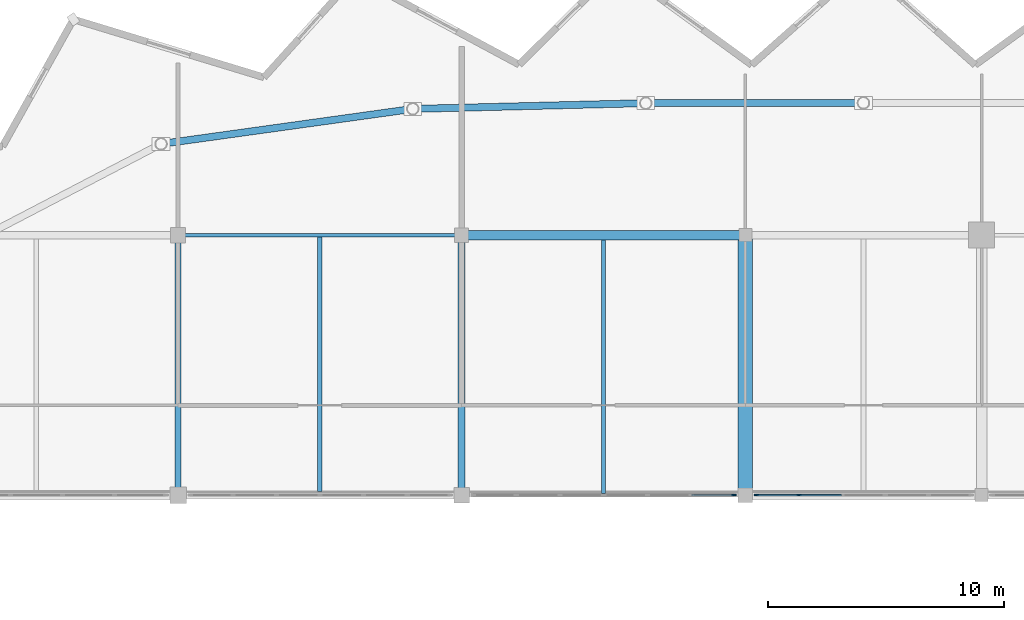
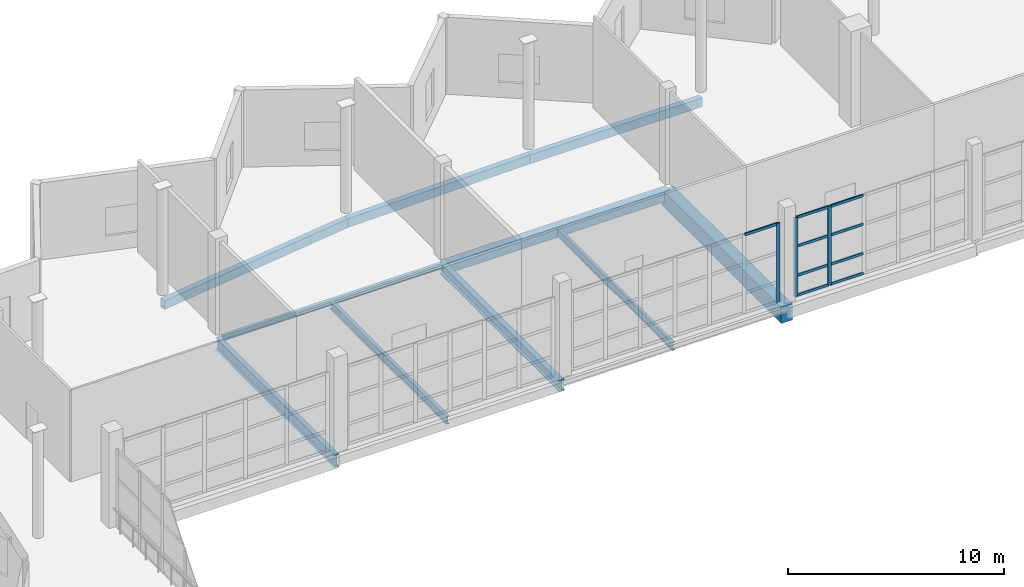
# One storey, part 24 of 49: 12 members, 10 beams, 2 elements without a shape of their own.
"""IFC4 building model written with IfcOpenShell, lengths in metres."""

from ifc_helpers import new_model, si_unit, direction, frame, origin, origin_2d, place, context, subcontext, project, spatial, rectangle, hollow_rectangle, i_section, extrude, material, material_profile, profile_set, type_object, element, aggregate, save


model = new_model("IFC4")

# Units and contexts
model_context = context("Model", 3, precision=1e-05, world=origin(), true_north=direction((0.0, 1.0)))
body_context = subcontext(model_context, "Body", "Model", "MODEL_VIEW")
ifc_project = project(units=[si_unit("LENGTHUNIT", "METRE"), si_unit("AREAUNIT", "SQUARE_METRE"), si_unit("VOLUMEUNIT", "CUBIC_METRE"), si_unit("PLANEANGLEUNIT", "RADIAN"), si_unit("MASSUNIT", "GRAM", prefix="KILO")], contexts=[model_context])

# Site, building, storey
site_placement = place(None, origin())
site = spatial("IfcSite", under=ifc_project, at=site_placement, CompositionType="ELEMENT")
building_placement = place(site_placement, origin())
building = spatial("IfcBuilding", under=site, at=building_placement, Name="Luwafu Chhajja Arena", CompositionType="ELEMENT")
storey_placement = place(building_placement, frame((0.0, 0.0, 24.300048828125)))
storey = spatial("IfcBuildingStorey", under=building, at=storey_placement, Name="L05", CompositionType="ELEMENT", Elevation=24.300048828125)

# Curtain wall, member
ifc_material_1 = material(Name="Anodised bronze aluminium", Category="aluminium")
curtain_wall_type = type_object("IfcCurtainWallType", Name="VIP Club Terrace Curtain Wall", PredefinedType="USERDEFINED", material=ifc_material_1)
curtain_wall_1_placement = place(storey_placement, origin())
curtain_wall_1 = element("IfcCurtainWall", 1, at=curtain_wall_1_placement, inside=storey, type_object=curtain_wall_type, Name="L05 Bowl Viewing Curtain Wall CWR-L05-10", ObjectType="CURTAIN WALL", PredefinedType="USERDEFINED")
ifc_material_profile_1 = material_profile(ifc_material_1, rectangle(XDim=0.06494140625, YDim=0.199951171875, at=origin_2d()), Name="CWM 65x200")
ifc_profile_set_1 = profile_set([ifc_material_profile_1], Name="Anodised bronze aluminium")
member_type_1 = type_object("IfcMemberType", Name="Bronze Curtain Wall Mullion 65x200", PredefinedType="MULLION", material=ifc_profile_set_1)
member_1_placement = place(storey_placement, frame((93.527587890625, 77.0, 0.0), z_axis=(0.0, 0.0, 1.0), x_axis=(0.0, 1.0, 0.0)))
member_1 = element("IfcMember", 2, at=member_1_placement, type_object=member_type_1, Name="CW-10 mullion 7", PredefinedType="MULLION", context=body_context, shape_type="SweptSolid", body=[
    extrude(rectangle(XDim=0.06494140625, YDim=0.199951171875, at=origin_2d()), origin(), (0.0, 0.0, 1.0), 4.449951171875),
])

# Curtain wall, members
curtain_wall_2_placement = place(storey_placement, origin())
curtain_wall_2 = element("IfcCurtainWall", 3, at=curtain_wall_2_placement, inside=storey, type_object=curtain_wall_type, Name="L05 Bowl Viewing Curtain Wall CWR-L05-11", ObjectType="CURTAIN WALL", PredefinedType="USERDEFINED")
member_2_placement = place(storey_placement, frame((94.472412109375, 77.0, 0.0), z_axis=(0.0, 0.0, 1.0), x_axis=(0.0, 1.0, 0.0)))
member_2 = element("IfcMember", 4, at=member_2_placement, type_object=member_type_1, Name="CW-10 mullion 1", PredefinedType="MULLION", context=body_context, shape_type="SweptSolid", body=[
    extrude(rectangle(XDim=0.06494140625, YDim=0.199951171875, at=origin_2d()), origin(), (0.0, 0.0, 1.0), 4.449951171875),
])
member_3_placement = place(storey_placement, frame((96.26904296875, 77.0, 0.0), z_axis=(0.0, 0.0, 1.0), x_axis=(0.0, 1.0, 0.0)))
member_3 = element("IfcMember", 5, at=member_3_placement, type_object=member_type_1, Name="CW-10 mullion 2", PredefinedType="MULLION", context=body_context, shape_type="SweptSolid", body=[
    extrude(rectangle(XDim=0.06494140625, YDim=0.199951171875, at=origin_2d()), origin(), (0.0, 0.0, 1.0), 4.449951171875),
])

# Member
ifc_material_profile_2 = material_profile(ifc_material_1, rectangle(XDim=0.06494140625, YDim=0.14990234375, at=origin_2d()), Name="CWT 65x150")
ifc_profile_set_2 = profile_set([ifc_material_profile_2], Name="Anodised bronze aluminium")
member_type_2 = type_object("IfcMemberType", Name="Bronze Curtain Wall Transom 65x150", PredefinedType="USERDEFINED", material=ifc_profile_set_2)
member_4_placement = place(storey_placement, frame((91.743408203125, 77.0, 4.41748046875), z_axis=(1.0, 0.0, 0.0), x_axis=(0.0, 1.0, 0.0)))
member_4 = element("IfcMember", 6, at=member_4_placement, type_object=member_type_2, Name="CW-10 transom 6.4", ObjectType="TRANSOM", PredefinedType="USERDEFINED", context=body_context, shape_type="SweptSolid", body=[
    extrude(rectangle(XDim=0.06494140625, YDim=0.14990234375, at=origin_2d()), origin(), (0.0, 0.0, 1.0), 1.751708984375),
])

aggregate(curtain_wall_1, [member_1, member_4])

member_5_placement = place(storey_placement, frame((94.5048828125, 77.0, 0.032470703125), z_axis=(1.0, 0.0, 0.0), x_axis=(0.0, 1.0, 0.0)))
member_5 = element("IfcMember", 7, at=member_5_placement, type_object=member_type_2, Name="CW-10 transom 1.1", ObjectType="TRANSOM", PredefinedType="USERDEFINED", context=body_context, shape_type="SweptSolid", body=[
    extrude(rectangle(XDim=0.06494140625, YDim=0.14990234375, at=origin_2d()), origin(), (0.0, 0.0, 1.0), 1.731689453125),
])

member_6_placement = place(storey_placement, frame((94.5048828125, 77.0, 1.14990234375), z_axis=(1.0, 0.0, 0.0), x_axis=(0.0, 1.0, 0.0)))
member_6 = element("IfcMember", 8, at=member_6_placement, type_object=member_type_2, Name="CW-10 transom 1.2", ObjectType="TRANSOM", PredefinedType="USERDEFINED", context=body_context, shape_type="SweptSolid", body=[
    extrude(rectangle(XDim=0.06494140625, YDim=0.14990234375, at=origin_2d()), origin(), (0.0, 0.0, 1.0), 1.731689453125),
])

member_7_placement = place(storey_placement, frame((94.5048828125, 77.0, 2.800048828125), z_axis=(1.0, 0.0, 0.0), x_axis=(0.0, 1.0, 0.0)))
member_7 = element("IfcMember", 9, at=member_7_placement, type_object=member_type_2, Name="CW-10 transom 1.3", ObjectType="TRANSOM", PredefinedType="USERDEFINED", context=body_context, shape_type="SweptSolid", body=[
    extrude(rectangle(XDim=0.06494140625, YDim=0.14990234375, at=origin_2d()), origin(), (0.0, 0.0, 1.0), 1.731689453125),
])

member_8_placement = place(storey_placement, frame((94.5048828125, 77.0, 4.41748046875), z_axis=(1.0, 0.0, 0.0), x_axis=(0.0, 1.0, 0.0)))
member_8 = element("IfcMember", 10, at=member_8_placement, type_object=member_type_2, Name="CW-10 transom 1.4", ObjectType="TRANSOM", PredefinedType="USERDEFINED", context=body_context, shape_type="SweptSolid", body=[
    extrude(rectangle(XDim=0.06494140625, YDim=0.14990234375, at=origin_2d()), origin(), (0.0, 0.0, 1.0), 1.731689453125),
])

member_9_placement = place(storey_placement, frame((96.301513671875, 77.0, 0.032470703125), z_axis=(1.0, 0.0, 0.0), x_axis=(0.0, 1.0, 0.0)))
member_9 = element("IfcMember", 11, at=member_9_placement, type_object=member_type_2, Name="CW-10 transom 2.1", ObjectType="TRANSOM", PredefinedType="USERDEFINED", context=body_context, shape_type="SweptSolid", body=[
    extrude(rectangle(XDim=0.06494140625, YDim=0.14990234375, at=origin_2d()), origin(), (0.0, 0.0, 1.0), 1.763916015625),
])

member_10_placement = place(storey_placement, frame((96.301513671875, 77.0, 1.14990234375), z_axis=(1.0, 0.0, 0.0), x_axis=(0.0, 1.0, 0.0)))
member_10 = element("IfcMember", 12, at=member_10_placement, type_object=member_type_2, Name="CW-10 transom 2.2", ObjectType="TRANSOM", PredefinedType="USERDEFINED", context=body_context, shape_type="SweptSolid", body=[
    extrude(rectangle(XDim=0.06494140625, YDim=0.14990234375, at=origin_2d()), origin(), (0.0, 0.0, 1.0), 1.763916015625),
])

member_11_placement = place(storey_placement, frame((96.301513671875, 77.0, 2.800048828125), z_axis=(1.0, 0.0, 0.0), x_axis=(0.0, 1.0, 0.0)))
member_11 = element("IfcMember", 13, at=member_11_placement, type_object=member_type_2, Name="CW-10 transom 2.3", ObjectType="TRANSOM", PredefinedType="USERDEFINED", context=body_context, shape_type="SweptSolid", body=[
    extrude(rectangle(XDim=0.06494140625, YDim=0.14990234375, at=origin_2d()), origin(), (0.0, 0.0, 1.0), 1.763916015625),
])

member_12_placement = place(storey_placement, frame((96.301513671875, 77.0, 4.41748046875), z_axis=(1.0, 0.0, 0.0), x_axis=(0.0, 1.0, 0.0)))
member_12 = element("IfcMember", 14, at=member_12_placement, type_object=member_type_2, Name="CW-10 transom 2.4", ObjectType="TRANSOM", PredefinedType="USERDEFINED", context=body_context, shape_type="SweptSolid", body=[
    extrude(rectangle(XDim=0.06494140625, YDim=0.14990234375, at=origin_2d()), origin(), (0.0, 0.0, 1.0), 1.763916015625),
])

aggregate(curtain_wall_2, [member_2, member_3, member_5, member_6, member_7, member_8, member_9, member_10, member_11, member_12])

# Beams
ifc_material_2 = material(Name="Steel S355", Category="steel")
ifc_material_profile_3 = material_profile(ifc_material_2, i_section(OverallWidth=0.165771484375, OverallDepth=0.306640625, WebThickness=0.006591796875, FlangeThickness=0.01171875, at=origin_2d()), Name="UB 305x165x46")
ifc_profile_set_3 = profile_set([ifc_material_profile_3], Name="Steel S355")
beam_type_1 = type_object("IfcBeamType", Name="Concourse Edge Spandrel Beam UB 305x165x46", PredefinedType="SPANDREL", material=ifc_profile_set_3)
beam_1_placement = place(storey_placement, frame((70.0, 88.0, -0.54345703125), z_axis=(1.0, 0.0, 0.0), x_axis=(0.0, 1.0, 0.0)))
element("IfcBeam", 15, at=beam_1_placement, inside=storey, type_object=beam_type_1, Name="L05 Grid Beam 7-8/J", PredefinedType="SPANDREL", context=body_context, shape_type="SweptSolid", body=[
    extrude(i_section(OverallWidth=0.165771484375, OverallDepth=0.306640625, WebThickness=0.006591796875, FlangeThickness=0.01171875, at=origin_2d()), origin(), (0.0, 0.0, 1.0), 12.0),
])
ifc_material_3 = material(Name="Concrete C35/45", Category="concrete")
ifc_material_profile_4 = material_profile(ifc_material_3, rectangle(XDim=0.60009765625, YDim=0.89990234375, at=origin_2d()), Name="RC 600x900")
ifc_profile_set_4 = profile_set([ifc_material_profile_4], Name="Concrete C35/45")
beam_type_2 = type_object("IfcBeamType", Name="Concourse Primary Girder RC 600x900", PredefinedType="BEAM", material=ifc_profile_set_4)
beam_2_placement = place(storey_placement, frame((94.0, 77.0, -0.840087890625), z_axis=(0.0, 1.0, 0.0), x_axis=(-1.0, 0.0, 0.0)))
element("IfcBeam", 16, at=beam_2_placement, inside=storey, type_object=beam_type_2, Name="L05 Grid Beam 9/H-J", PredefinedType="BEAM", context=body_context, shape_type="SweptSolid", body=[
    extrude(rectangle(XDim=0.60009765625, YDim=0.89990234375, at=origin_2d()), origin(), (0.0, 0.0, 1.0), 11.0),
])
ifc_material_profile_5 = material_profile(ifc_material_2, i_section(OverallWidth=0.15283203125, OverallDepth=0.45458984375, WebThickness=0.008056640625, FlangeThickness=0.01318359375, at=origin_2d()), Name="UB 457x152x60")
ifc_profile_set_5 = profile_set([ifc_material_profile_5], Name="Steel S355")
beam_type_3 = type_object("IfcBeamType", Name="Floor Joist UB 457x152x60", PredefinedType="JOIST", material=ifc_profile_set_5)
beam_3_placement = place(storey_placement, frame((88.0, 77.082763671875, -0.617431640625), z_axis=(0.0, 1.0, 0.0), x_axis=(-1.0, 0.0, 0.0)))
element("IfcBeam", 17, at=beam_3_placement, inside=storey, type_object=beam_type_3, Name="L05 Secondary Joist 8-9/H", PredefinedType="JOIST", context=body_context, shape_type="SweptSolid", body=[
    extrude(i_section(OverallWidth=0.15283203125, OverallDepth=0.45458984375, WebThickness=0.008056640625, FlangeThickness=0.01318359375, at=origin_2d()), origin(), (0.0, 0.0, 1.0), 10.71728515625),
])
ifc_material_profile_6 = material_profile(ifc_material_2, i_section(OverallWidth=0.19140625, OverallDepth=0.4599609375, WebThickness=0.010009765625, FlangeThickness=0.01611328125, at=origin_2d()), Name="UB 457x191x82")
ifc_profile_set_6 = profile_set([ifc_material_profile_6], Name="Steel S355")
beam_type_4 = type_object("IfcBeamType", Name="Floor Joist UB 457x191x82", PredefinedType="JOIST", material=ifc_profile_set_6)
beam_4_placement = place(storey_placement, frame((76.0, 77.14990234375, -0.6201171875), z_axis=(0.0, 1.0, 0.0), x_axis=(-1.0, 0.0, 0.0)))
element("IfcBeam", 18, at=beam_4_placement, inside=storey, type_object=beam_type_4, Name="L05 Secondary Joist 7-8/H", PredefinedType="JOIST", context=body_context, shape_type="SweptSolid", body=[
    extrude(i_section(OverallWidth=0.19140625, OverallDepth=0.4599609375, WebThickness=0.010009765625, FlangeThickness=0.01611328125, at=origin_2d()), origin(), (0.0, 0.0, 1.0), 10.767333984375),
])
ifc_material_profile_7 = material_profile(ifc_material_2, hollow_rectangle(XDim=0.300048828125, YDim=0.5, WallThickness=0.02001953125, at=origin_2d()), Name="RHS 500x300x20")
ifc_profile_set_7 = profile_set([ifc_material_profile_7], Name="Steel S355")
beam_type_5 = type_object("IfcBeamType", Name="Pleated Drum Spandrel Beam RHS 500x300", PredefinedType="SPANDREL", material=ifc_profile_set_7)
beam_5_placement = place(storey_placement, frame((99.0, 93.60009765625, -0.64013671875), z_axis=(-0.999999155928, -0.001299285621, 0.0), x_axis=(0.001299285621, -0.999999155928, 0.0)))
element("IfcBeam", 19, at=beam_5_placement, inside=storey, type_object=beam_type_5, Name="L05 Drum Ring Spandrel D09-D10", PredefinedType="SPANDREL", context=body_context, shape_type="SweptSolid", body=[
    extrude(hollow_rectangle(XDim=0.300048828125, YDim=0.5, WallThickness=0.02001953125, at=origin_2d()), origin(), (0.0, 0.0, 1.0), 9.207275390625),
])
beam_6_placement = place(storey_placement, frame((89.792724609375, 93.588134765625, -0.64013671875), z_axis=(-0.999695420837, -0.024679253567, 0.0), x_axis=(0.024679253567, -0.999695420837, 0.0)))
element("IfcBeam", 20, at=beam_6_placement, inside=storey, type_object=beam_type_5, Name="L05 Drum Ring Spandrel D10-D11", PredefinedType="SPANDREL", context=body_context, shape_type="SweptSolid", body=[
    extrude(hollow_rectangle(XDim=0.300048828125, YDim=0.5, WallThickness=0.02001953125, at=origin_2d()), origin(), (0.0, 0.0, 1.0), 9.86279296875),
])
beam_7_placement = place(storey_placement, frame((79.932861328125, 93.3447265625, -0.64013671875), z_axis=(-0.990458730054, -0.137809666058, 0.0), x_axis=(0.137809666058, -0.990458730054, 0.0)))
element("IfcBeam", 21, at=beam_7_placement, inside=storey, type_object=beam_type_5, Name="L05 Drum Ring Spandrel D11-D12", PredefinedType="SPANDREL", context=body_context, shape_type="SweptSolid", body=[
    extrude(hollow_rectangle(XDim=0.300048828125, YDim=0.5, WallThickness=0.02001953125, at=origin_2d()), origin(), (0.0, 0.0, 1.0), 10.75341796875),
])
ifc_material_profile_8 = material_profile(ifc_material_3, rectangle(XDim=0.39990234375, YDim=0.60009765625, at=origin_2d()), Name="RC 400x600")
ifc_profile_set_8 = profile_set([ifc_material_profile_8], Name="Concrete C35/45")
beam_type_6 = type_object("IfcBeamType", Name="Podium Perimeter Spandrel RC 400x600", PredefinedType="SPANDREL", material=ifc_profile_set_8)
beam_8_placement = place(storey_placement, frame((82.0, 88.0, -0.68994140625), z_axis=(1.0, 0.0, 0.0), x_axis=(0.0, 1.0, 0.0)))
element("IfcBeam", 22, at=beam_8_placement, inside=storey, type_object=beam_type_6, Name="L05 Grid Beam 8-9/J", PredefinedType="SPANDREL", context=body_context, shape_type="SweptSolid", body=[
    extrude(rectangle(XDim=0.39990234375, YDim=0.60009765625, at=origin_2d()), origin(), (0.0, 0.0, 1.0), 12.0),
])
ifc_material_profile_9 = material_profile(ifc_material_2, i_section(OverallWidth=0.253662109375, OverallDepth=0.68359375, WebThickness=0.012451171875, FlangeThickness=0.01904296875, at=origin_2d()), Name="UB 686x254x140")
ifc_profile_set_9 = profile_set([ifc_material_profile_9], Name="Steel S355")
beam_type_7 = type_object("IfcBeamType", Name="Steel Concourse Girder UB 686x254x140", PredefinedType="BEAM", material=ifc_profile_set_9)
beam_9_placement = place(storey_placement, frame((70.0, 77.0, -0.73193359375), z_axis=(0.0, 1.0, 0.0), x_axis=(-1.0, 0.0, 0.0)))
element("IfcBeam", 23, at=beam_9_placement, inside=storey, type_object=beam_type_7, Name="L05 Grid Beam 7/H-J", PredefinedType="BEAM", context=body_context, shape_type="SweptSolid", body=[
    extrude(i_section(OverallWidth=0.253662109375, OverallDepth=0.68359375, WebThickness=0.012451171875, FlangeThickness=0.01904296875, at=origin_2d()), origin(), (0.0, 0.0, 1.0), 11.0),
])
ifc_material_profile_10 = material_profile(ifc_material_2, i_section(OverallWidth=0.300048828125, OverallDepth=0.60009765625, WebThickness=0.015380859375, FlangeThickness=0.030029296875, at=origin_2d()), Name="HEB 600")
ifc_profile_set_10 = profile_set([ifc_material_profile_10], Name="Steel S355")
beam_type_8 = type_object("IfcBeamType", Name="Steel Gallery Girder HEB 600", PredefinedType="BEAM", material=ifc_profile_set_10)
beam_10_placement = place(storey_placement, frame((82.0, 77.0, -0.68994140625), z_axis=(0.0, 1.0, 0.0), x_axis=(-1.0, 0.0, 0.0)))
element("IfcBeam", 24, at=beam_10_placement, inside=storey, type_object=beam_type_8, Name="L05 Grid Beam 8/H-J", PredefinedType="BEAM", context=body_context, shape_type="SweptSolid", body=[
    extrude(i_section(OverallWidth=0.300048828125, OverallDepth=0.60009765625, WebThickness=0.015380859375, FlangeThickness=0.030029296875, at=origin_2d()), origin(), (0.0, 0.0, 1.0), 11.0),
])

save(model, "model.ifc")
